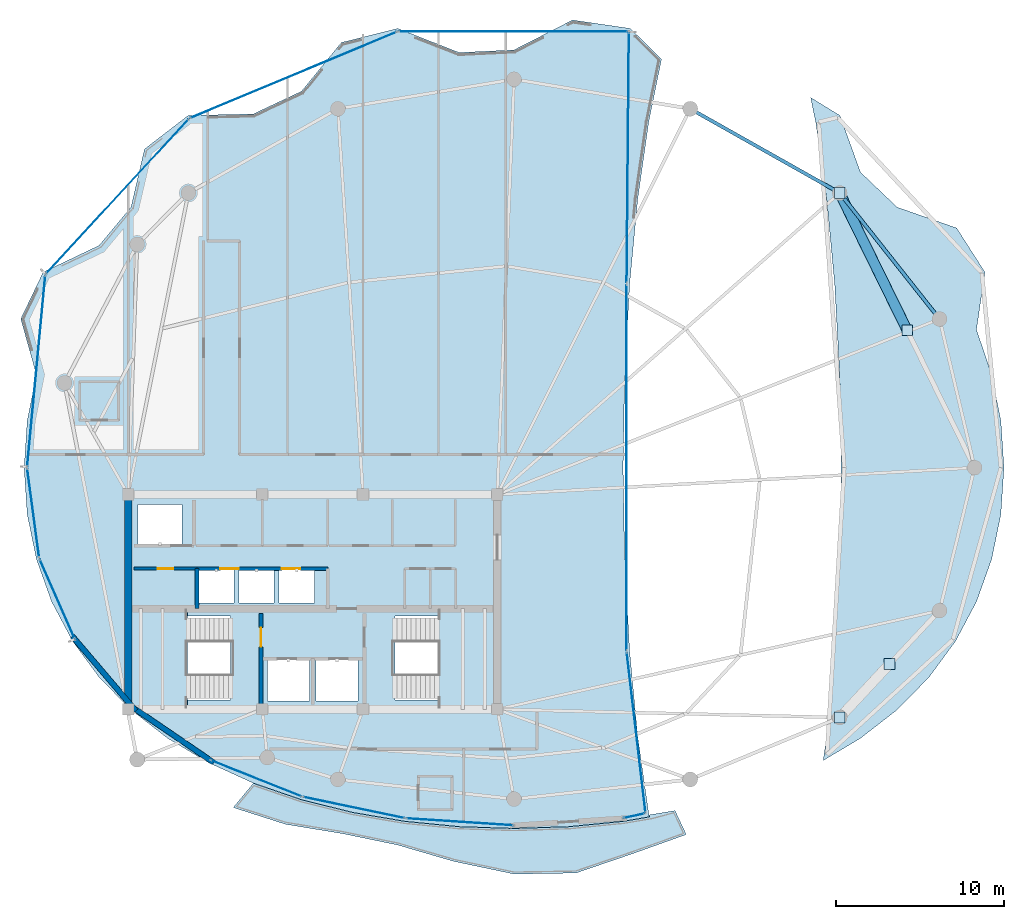
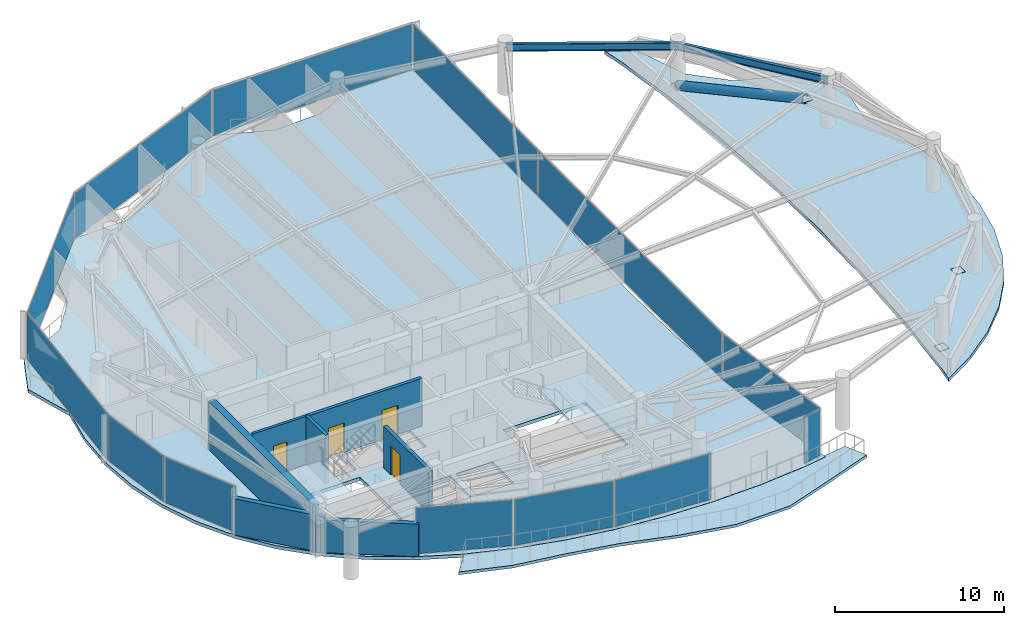
# One storey, part 17 of 22: 17 plates, 7 walls, 5 slabs, 4 doors, 2 beams, 1 member, 4 openings, 15 elements without a shape of their own.
"""IFC4 building model written with IfcOpenShell, lengths in metres."""

from ifc_helpers import new_model, si_unit, direction, frame, frame_2d, origin, origin_2d, place, context, subcontext, project, spatial, polyline, rectangle, hollow_circle, i_section, outline, extrude, material, layer, layer_set, material_profile, profile_set, type_object, element, fill, aggregate, save


model = new_model("IFC4")

# Units and contexts
model_context = context("Model", 3, precision=1e-05, world=origin(), true_north=direction((0.0, 1.0)))
body_context = subcontext(model_context, "Body", "Model", "MODEL_VIEW")
ifc_project = project(units=[si_unit("LENGTHUNIT", "METRE"), si_unit("AREAUNIT", "SQUARE_METRE"), si_unit("VOLUMEUNIT", "CUBIC_METRE"), si_unit("PLANEANGLEUNIT", "RADIAN"), si_unit("MASSUNIT", "GRAM", prefix="KILO")], contexts=[model_context])

# Site, building, storey
site_placement = place(None, origin())
site = spatial("IfcSite", under=ifc_project, at=site_placement, CompositionType="ELEMENT")
building_placement = place(site_placement, origin())
building = spatial("IfcBuilding", under=site, at=building_placement, Name="Kazevale Care Tower and Concert Hall", CompositionType="ELEMENT")
storey_placement = place(building_placement, frame((0.0, 0.0, 277.60009765625)))
storey = spatial("IfcBuildingStorey", under=building, at=storey_placement, Name="L73", CompositionType="ELEMENT", Elevation=277.60009765625)

# Member
ifc_material_1 = material(Name="Steel ASTM A572 Gr 50", Category="steel")
ifc_material_profile_1 = material_profile(ifc_material_1, hollow_circle(Radius=0.304931640625, WallThickness=0.0400390625, at=origin_2d()), Name="CHS610x40")
ifc_profile_set_1 = profile_set([ifc_material_profile_1], Name="Steel ASTM A572 Gr 50")
member_type = type_object("IfcMemberType", Name="Portal Arch Brace CHS610x40", PredefinedType="BRACE", material=ifc_profile_set_1)
member_placement = place(storey_placement, frame((64.409912109375, 54.3701171875, 0.349853515625), z_axis=(0.42437808649, -0.863549870396, 0.272368979596), x_axis=(0.897481043615, 0.441053031223, 0.0)))
element("IfcMember", 1, at=member_placement, inside=storey, type_object=member_type, Name="brace:L73:portal_knee:1", PredefinedType="BRACE", context=body_context, shape_type="SweptSolid", body=[
    extrude(hollow_circle(Radius=0.304931640625, WallThickness=0.0400390625, at=origin_2d()), origin(), (0.0, 0.0, 1.0), 9.47265625),
])

# Beams
ifc_material_profile_2 = material_profile(ifc_material_1, i_section(OverallWidth=0.208984375, OverallDepth=0.532958984375, WebThickness=0.01025390625, FlangeThickness=0.015625, at=origin_2d()), Name="W530x92")
ifc_profile_set_2 = profile_set([ifc_material_profile_2], Name="Steel ASTM A572 Gr 50")
beam_type = type_object("IfcBeamType", Name="Upper Ring Beam W530x92", PredefinedType="BEAM", material=ifc_profile_set_2)
beam_1_placement = place(storey_placement, frame((70.360107421875, 46.860107421875, 3.21337890625), z_axis=(-0.621008988522, 0.783803442308, 0.0), x_axis=(-0.783803442308, -0.621008988522, 0.0)))
element("IfcBeam", 2, at=beam_1_placement, inside=storey, type_object=beam_type, Name="beam:L73:ring:02", PredefinedType="BEAM", context=body_context, shape_type="SweptSolid", body=[
    extrude(i_section(OverallWidth=0.208984375, OverallDepth=0.532958984375, WebThickness=0.01025390625, FlangeThickness=0.015625, at=origin_2d()), origin(), (0.0, 0.0, 1.0), 9.58154296875),
])
beam_2_placement = place(storey_placement, frame((64.409912109375, 54.3701171875, 3.21337890625), z_axis=(-0.871243170179, 0.490851646035, 0.0), x_axis=(-0.490851646035, -0.871243170179, 0.0)))
element("IfcBeam", 3, at=beam_2_placement, inside=storey, type_object=beam_type, Name="beam:L73:ring:03", PredefinedType="BEAM", context=body_context, shape_type="SweptSolid", body=[
    extrude(i_section(OverallWidth=0.208984375, OverallDepth=0.532958984375, WebThickness=0.01025390625, FlangeThickness=0.015625, at=origin_2d()), origin(), (0.0, 0.0, 1.0), 10.2265625),
])

# Curtain wall, plate
ifc_material_2 = material(Name="Aluminium 6063-T6 and Low-E Glass", Category="aluminium")
ifc_layer_1 = layer(ifc_material_2, 0.179931640625)
ifc_layer_set_1 = layer_set([ifc_layer_1], Name="Aluminium 6063-T6 and Low-E Glass")
curtain_wall_type_1 = type_object("IfcCurtainWallType", Name="Waist & Upper Residential Curtain Wall CW-4", PredefinedType="NOTDEFINED", material=ifc_layer_set_1)
curtain_wall_1_placement = place(storey_placement, origin())
curtain_wall_1 = element("IfcCurtainWall", 4, at=curtain_wall_1_placement, inside=storey, type_object=curtain_wall_type_1, Name="cw:L73:f07", PredefinedType="NOTDEFINED")
ifc_material_3 = material(Name="Low-E Laminated Glass", Category="glass")
ifc_layer_2 = layer(ifc_material_3, 0.030029296875)
ifc_layer_set_2 = layer_set([ifc_layer_2], Name="Low-E Laminated Glass")
plate_type_1 = type_object("IfcPlateType", Name="CW-4 Low-E Glazing Panel 30mm", PredefinedType="CURTAIN_PANEL", material=ifc_layer_set_2)
plate_1_placement = place(storey_placement, frame((17.775390625, 30.175537109375, 0.080078125), z_axis=(0.0, 0.0, 1.0), x_axis=(-0.403598397488, 0.914936245618, 0.0)))
plate_1 = element("IfcPlate", 5, at=plate_1_placement, type_object=plate_type_1, Name="CW-4 panel 1.1", PredefinedType="CURTAIN_PANEL", context=body_context, shape_type="SweptSolid", body=[
    extrude(rectangle(XDim=5.139892578125, YDim=0.030029296875, at=origin_2d()), origin(), (0.0, 0.0, 1.0), 3.320068359375),
])
aggregate(curtain_wall_1, [plate_1])

curtain_wall_2_placement = place(storey_placement, origin())
curtain_wall_2 = element("IfcCurtainWall", 6, at=curtain_wall_2_placement, inside=storey, type_object=curtain_wall_type_1, Name="cw:L73:f08", PredefinedType="NOTDEFINED")
plate_2_placement = place(storey_placement, frame((16.343017578125, 35.300048828125, 0.080078125), z_axis=(0.0, 0.0, 1.0), x_axis=(-0.133245609751, 0.991083047722, 0.0)))
plate_2 = element("IfcPlate", 7, at=plate_2_placement, type_object=plate_type_1, Name="CW-4 panel 1.1", PredefinedType="CURTAIN_PANEL", context=body_context, shape_type="SweptSolid", body=[
    extrude(rectangle(XDim=5.28857421875, YDim=0.030029296875, at=origin_2d()), origin(), (0.0, 0.0, 1.0), 3.320068359375),
])
aggregate(curtain_wall_2, [plate_2])

curtain_wall_3_placement = place(storey_placement, origin())
curtain_wall_3 = element("IfcCurtainWall", 8, at=curtain_wall_3_placement, inside=storey, type_object=curtain_wall_type_1, Name="cw:L73:f09", PredefinedType="NOTDEFINED")
plate_3_placement = place(storey_placement, frame((16.52490234375, 43.757568359375, 0.080078125), z_axis=(0.0, 0.0, 1.0), x_axis=(0.094237879477, 0.995549708489, 0.0)))
plate_3 = element("IfcPlate", 9, at=plate_3_placement, type_object=plate_type_1, Name="CW-4 panel 1.1", PredefinedType="CURTAIN_PANEL", context=body_context, shape_type="SweptSolid", body=[
    extrude(rectangle(XDim=11.406494140625, YDim=0.030029296875, at=origin_2d()), origin(), (0.0, 0.0, 1.0), 3.320068359375),
])
aggregate(curtain_wall_3, [plate_3])

curtain_wall_4_placement = place(storey_placement, origin())
curtain_wall_4 = element("IfcCurtainWall", 10, at=curtain_wall_4_placement, inside=storey, type_object=curtain_wall_type_1, Name="cw:L73:f10", PredefinedType="NOTDEFINED")
plate_4_placement = place(storey_placement, frame((21.35546875, 54.16455078125, 0.080078125), z_axis=(0.0, 0.0, 1.0), x_axis=(0.677738025563, 0.735303453484, 0.0)))
plate_4 = element("IfcPlate", 11, at=plate_4_placement, type_object=plate_type_1, Name="CW-4 panel 1.1", PredefinedType="CURTAIN_PANEL", context=body_context, shape_type="SweptSolid", body=[
    extrude(rectangle(XDim=12.486572265625, YDim=0.030029296875, at=origin_2d()), origin(), (0.0, 0.0, 1.0), 3.320068359375),
])
aggregate(curtain_wall_4, [plate_4])

curtain_wall_5_placement = place(storey_placement, origin())
curtain_wall_5 = element("IfcCurtainWall", 12, at=curtain_wall_5_placement, inside=storey, type_object=curtain_wall_type_1, Name="cw:L73:f11", PredefinedType="NOTDEFINED")
plate_5_placement = place(storey_placement, frame((31.848388671875, 61.40087890625, 0.080078125), z_axis=(0.0, 0.0, 1.0), x_axis=(0.923048324588, 0.384684013802, 0.0)))
plate_5 = element("IfcPlate", 13, at=plate_5_placement, type_object=plate_type_1, Name="CW-4 panel 1.1", PredefinedType="CURTAIN_PANEL", context=body_context, shape_type="SweptSolid", body=[
    extrude(rectangle(XDim=13.2900390625, YDim=0.030029296875, at=origin_2d()), origin(), (0.0, 0.0, 1.0), 3.320068359375),
])
aggregate(curtain_wall_5, [plate_5])

curtain_wall_6_placement = place(storey_placement, origin())
curtain_wall_6 = element("IfcCurtainWall", 14, at=curtain_wall_6_placement, inside=storey, type_object=curtain_wall_type_1, Name="cw:L73:f12", PredefinedType="NOTDEFINED")
plate_6_placement = place(storey_placement, frame((44.951416015625, 63.99755859375, 0.080078125), z_axis=(0.0, 0.0, 1.0), x_axis=(0.999999050959, 0.001377708789, 0.0)))
plate_6 = element("IfcPlate", 15, at=plate_6_placement, type_object=plate_type_1, Name="CW-4 panel 1.1", PredefinedType="CURTAIN_PANEL", context=body_context, shape_type="SweptSolid", body=[
    extrude(rectangle(XDim=13.631103515625, YDim=0.030029296875, at=origin_2d()), origin(), (0.0, 0.0, 1.0), 3.320068359375),
])
aggregate(curtain_wall_6, [plate_6])

curtain_wall_7_placement = place(storey_placement, origin())
curtain_wall_7 = element("IfcCurtainWall", 16, at=curtain_wall_7_placement, inside=storey, type_object=curtain_wall_type_1, Name="cw:L73:f13", PredefinedType="NOTDEFINED")
plate_7_placement = place(storey_placement, frame((51.779541015625, 56.482421875, 0.080078125), z_axis=(0.0, 0.0, 1.0), x_axis=(-0.008970334801, -0.999959765737, 0.0)))
plate_7 = element("IfcPlate", 17, at=plate_7_placement, type_object=plate_type_1, Name="CW-4 panel 1.1", PredefinedType="CURTAIN_PANEL", context=body_context, shape_type="SweptSolid", body=[
    extrude(rectangle(XDim=14.8896484375, YDim=0.030029296875, at=origin_2d()), origin(), (0.0, 0.0, 1.0), 3.320068359375),
])
aggregate(curtain_wall_7, [plate_7])

curtain_wall_8_placement = place(storey_placement, origin())
curtain_wall_8 = element("IfcCurtainWall", 18, at=curtain_wall_8_placement, inside=storey, type_object=curtain_wall_type_1, Name="cw:L73:f14", PredefinedType="NOTDEFINED")
plate_8_placement = place(storey_placement, frame((51.7119140625, 38.0, 0.080078125), z_axis=(0.0, 0.0, 1.0), x_axis=(0.0, -1.0, 0.0)))
plate_8 = element("IfcPlate", 19, at=plate_8_placement, type_object=plate_type_1, Name="CW-4 panel 1.1", PredefinedType="CURTAIN_PANEL", context=body_context, shape_type="SweptSolid", body=[
    extrude(rectangle(XDim=21.756103515625, YDim=0.030029296875, at=origin_2d()), origin(), (0.0, 0.0, 1.0), 3.320068359375),
])
aggregate(curtain_wall_8, [plate_8])

ifc_layer_3 = layer(ifc_material_2, 0.179931640625)
ifc_layer_set_3 = layer_set([ifc_layer_3], Name="Aluminium 6063-T6 and Low-E Glass")
curtain_wall_type_2 = type_object("IfcCurtainWallType", Name="Sheltered Concave Balcony Curtain Wall CW-5", PredefinedType="NOTDEFINED", material=ifc_layer_set_3)
curtain_wall_9_placement = place(storey_placement, origin())
curtain_wall_9 = element("IfcCurtainWall", 20, at=curtain_wall_9_placement, inside=storey, type_object=curtain_wall_type_2, Name="cw:L73:f02", PredefinedType="NOTDEFINED")
ifc_layer_4 = layer(ifc_material_3, 0.02587890625)
ifc_layer_set_4 = layer_set([ifc_layer_4], Name="Low-E Laminated Glass")
plate_type_2 = type_object("IfcPlateType", Name="CW-5 Low-E Glazing Panel 26mm", PredefinedType="CURTAIN_PANEL", material=ifc_layer_set_4)
plate_9_placement = place(storey_placement, frame((41.762939453125, 16.89111328125, 0.074951171875), z_axis=(0.0, 0.0, 1.0), x_axis=(-0.997882281458, 0.065045771206, 0.0)))
plate_9 = element("IfcPlate", 21, at=plate_9_placement, type_object=plate_type_2, Name="CW-5 panel 1.1", PredefinedType="CURTAIN_PANEL", context=body_context, shape_type="SweptSolid", body=[
    extrude(rectangle(XDim=6.337646484375, YDim=0.02587890625, at=origin_2d()), origin(), (0.0, 0.0, 1.0), 3.330078125),
])
aggregate(curtain_wall_9, [plate_9])

curtain_wall_10_placement = place(storey_placement, origin())
curtain_wall_10 = element("IfcCurtainWall", 22, at=curtain_wall_10_placement, inside=storey, type_object=curtain_wall_type_2, Name="cw:L73:f03", PredefinedType="NOTDEFINED")
plate_10_placement = place(storey_placement, frame((35.4541015625, 17.743896484375, 0.074951171875), z_axis=(0.0, 0.0, 1.0), x_axis=(-0.978852986472, 0.204564979592, 0.0)))
plate_10 = element("IfcPlate", 23, at=plate_10_placement, type_object=plate_type_2, Name="CW-5 panel 1.1", PredefinedType="CURTAIN_PANEL", context=body_context, shape_type="SweptSolid", body=[
    extrude(rectangle(XDim=6.126708984375, YDim=0.02587890625, at=origin_2d()), origin(), (0.0, 0.0, 1.0), 3.330078125),
])
aggregate(curtain_wall_10, [plate_10])

curtain_wall_11_placement = place(storey_placement, origin())
curtain_wall_11 = element("IfcCurtainWall", 24, at=curtain_wall_11_placement, inside=storey, type_object=curtain_wall_type_2, Name="cw:L73:f04", PredefinedType="NOTDEFINED")
plate_11_placement = place(storey_placement, frame((29.6298828125, 19.48046875, 0.074951171875), z_axis=(0.0, 0.0, 1.0), x_axis=(-0.929208392028, 0.369556171894, 0.0)))
plate_11 = element("IfcPlate", 25, at=plate_11_placement, type_object=plate_type_2, Name="CW-5 panel 1.1", PredefinedType="CURTAIN_PANEL", context=body_context, shape_type="SweptSolid", body=[
    extrude(rectangle(XDim=5.7734375, YDim=0.02587890625, at=origin_2d()), origin(), (0.0, 0.0, 1.0), 3.330078125),
])
aggregate(curtain_wall_11, [plate_11])

curtain_wall_12_placement = place(storey_placement, origin())
curtain_wall_12 = element("IfcCurtainWall", 26, at=curtain_wall_12_placement, inside=storey, type_object=curtain_wall_type_2, Name="cw:L73:f15", PredefinedType="NOTDEFINED")
plate_12_placement = place(storey_placement, frame((52.277587890625, 22.220947265625, 0.074951171875), z_axis=(0.0, 0.0, 1.0), x_axis=(0.116500580295, -0.993190623592, 0.0)))
plate_12 = element("IfcPlate", 27, at=plate_12_placement, type_object=plate_type_2, Name="CW-5 panel 1.1", PredefinedType="CURTAIN_PANEL", context=body_context, shape_type="SweptSolid", body=[
    extrude(rectangle(XDim=9.55810546875, YDim=0.02587890625, at=origin_2d()), origin(), (0.0, 0.0, 1.0), 3.330078125),
])
aggregate(curtain_wall_12, [plate_12])

curtain_wall_13_placement = place(storey_placement, origin())
curtain_wall_13 = element("IfcCurtainWall", 28, at=curtain_wall_13_placement, inside=storey, type_object=curtain_wall_type_2, Name="cw:L73:f16", PredefinedType="NOTDEFINED")
plate_13_placement = place(storey_placement, frame((52.158447265625, 17.2509765625, 0.074951171875), z_axis=(0.0, 0.0, 1.0), x_axis=(-0.977118351767, -0.212696324933, 0.0)))
plate_13 = element("IfcPlate", 29, at=plate_13_placement, type_object=plate_type_2, Name="CW-5 panel 1.1", PredefinedType="CURTAIN_PANEL", context=body_context, shape_type="SweptSolid", body=[
    extrude(rectangle(XDim=1.2509765625, YDim=0.02587890625, at=origin_2d()), origin(), (0.0, 0.0, 1.0), 3.330078125),
])
aggregate(curtain_wall_13, [plate_13])

# Plates
ifc_layer_5 = layer(ifc_material_1, 0.02490234375)
ifc_layer_set_5 = layer_set([ifc_layer_5], Name="Steel ASTM A572 Gr 50")
plate_type_3 = type_object("IfcPlateType", Name="Hollow Section End Cap Plate 25mm", PredefinedType="USERDEFINED", material=ifc_layer_set_5)
for number, where, z_axis, x_axis, name in (
    (30, (64.409912109375, 54.3701171875, 0.33740234375), (0.0, 0.0, 1.0), (1.0, 0.0, 0.0), "brace:L73:portal_knee:1:cap0"),
    (31, (68.429931640625, 46.18994140625, 2.91748046875), (0.0, 0.0, 1.0), (1.0, 0.0, 0.0), "brace:L73:portal_knee:1:cap1"),
    (32, (64.409912109375, 23.110107421875, 0.33740234375), (0.0, 0.0, 1.0), (1.0, 0.0, 0.0), "brace:L73:portal_knee:2:cap0"),
    (33, (67.3798828125, 26.300048828125, 2.91748046875), (0.0, 0.0, 1.0), (1.0, 0.0, 0.0), "brace:L73:portal_knee:2:cap1"),
):
    element("IfcPlate", number, at=place(storey_placement, frame(where, z_axis=z_axis, x_axis=x_axis)), inside=storey, type_object=plate_type_3, Name=name, ObjectType="END_CAP_PLATE", PredefinedType="USERDEFINED", context=body_context, shape_type="SweptSolid", body=[
        extrude(rectangle(XDim=0.639892578125, YDim=0.639892578125, at=origin_2d()), origin(), (0.0, 0.0, 1.0), 0.02490234375),
    ])

# Slab
ifc_material_4 = material(Name="Concrete C40", Category="concrete")
ifc_layer_6 = layer(ifc_material_4, 0.199951171875)
ifc_layer_set_6 = layer_set([ifc_layer_6], Name="Concrete C40")
slab_type_1 = type_object("IfcSlabType", Name="Sinusoidal Concave Balcony Slab 200", PredefinedType="USERDEFINED", material=ifc_layer_set_6)
slab_1_placement = place(storey_placement, frame((0.0, 0.0, -0.2001953125)))
element("IfcSlab", 34, at=slab_1_placement, inside=storey, type_object=slab_type_1, Name="slab:L73:bal", ObjectType="BALCONY", PredefinedType="USERDEFINED", context=body_context, shape_type="SweptSolid", body=[
    extrude(outline(polyline([(54.593017578125, 17.56591796875), (55.264892578125, 16.134765625), (52.090087890625, 15.0009765625), (48.69189453125, 13.841552734375), (45.0, 13.77978515625), (41.413818359375, 14.533203125), (38.066650390625, 15.510009765625), (34.76171875, 16.19189453125), (31.389892578125, 16.743896484375), (28.263427734375, 17.743408203125), (29.46142578125, 19.193115234375), (29.462890625, 19.192626953125), (32.3291015625, 18.208251953125), (35.35498046875, 17.452392578125), (38.501708984375, 16.918212890625), (41.730224609375, 16.6005859375), (45.0, 16.4951171875), (48.269775390625, 16.6005859375), (51.498291015625, 16.918212890625), (53.075439453125, 17.185791015625), (53.05126953125, 17.305908203125), (54.593017578125, 17.56591796875)])), origin(), (0.0, 0.0, 1.0), 0.2001953125),
])

# Stair, slab
stair_type = type_object("IfcStairType", Name="Exit Stair Assembly ST1-U", PredefinedType="HALF_TURN_STAIR", material=ifc_material_4)
stair_1_placement = place(storey_placement, origin())
stair_1 = element("IfcStair", 35, at=stair_1_placement, inside=storey, type_object=stair_type, Name="stair:L73:ST1", PredefinedType="HALF_TURN_STAIR")
ifc_layer_7 = layer(ifc_material_4, 0.199951171875)
ifc_layer_set_7 = layer_set([ifc_layer_7], Name="Concrete C40")
slab_type_2 = type_object("IfcSlabType", Name="Stair Half-Landing Slab ST1-U", PredefinedType="LANDING", material=ifc_layer_set_7)
slab_2_placement = place(storey_placement, frame((0.0, 0.0, 1.699951171875)))
slab_2 = element("IfcSlab", 36, at=slab_2_placement, type_object=slab_type_2, Name="ST1-U landing 1", PredefinedType="LANDING", context=body_context, shape_type="SweptSolid", body=[
    extrude(outline(polyline([(22.050048828125, 23.699951171875), (25.530029296875, 23.699951171875), (25.530029296875, 29.5), (22.050048828125, 29.5), (22.050048828125, 23.699951171875)])), origin(), (0.0, 0.0, 1.0), 0.199951171875),
])
aggregate(stair_1, [slab_2])

stair_2_placement = place(storey_placement, origin())
stair_2 = element("IfcStair", 37, at=stair_2_placement, inside=storey, type_object=stair_type, Name="stair:L73:ST2", PredefinedType="HALF_TURN_STAIR")
slab_3_placement = place(storey_placement, frame((0.0, 0.0, 1.699951171875)))
slab_3 = element("IfcSlab", 38, at=slab_3_placement, type_object=slab_type_2, Name="ST1-U landing 1", PredefinedType="LANDING", context=body_context, shape_type="SweptSolid", body=[
    extrude(outline(polyline([(40.469970703125, 23.699951171875), (43.949951171875, 23.699951171875), (43.949951171875, 29.5), (40.469970703125, 29.5), (40.469970703125, 23.699951171875)])), origin(), (0.0, 0.0, 1.0), 0.199951171875),
])
aggregate(stair_2, [slab_3])

# Slabs
ifc_layer_8 = layer(ifc_material_4, 0.239990234375)
ifc_layer_set_8 = layer_set([ifc_layer_8], Name="Concrete C40")
slab_type_3 = type_object("IfcSlabType", Name="Tower Typical Floor Slab 240", PredefinedType="FLOOR", material=ifc_layer_set_8)
slab_4_placement = place(storey_placement, frame((0.0, 0.0, -0.239990234375)))
element("IfcSlab", 39, at=slab_4_placement, inside=storey, type_object=slab_type_3, Name="slab:L73:tw:1", PredefinedType="FLOOR", context=body_context, shape_type="SweptSolid", body=[
    extrude(outline(polyline([(51.49755859375, 16.92333984375), (48.269287109375, 16.60546875), (45.0, 16.5), (41.730712890625, 16.60546875), (38.50244140625, 16.92333984375), (35.35595703125, 17.457275390625), (32.33056640625, 18.212890625), (29.464599609375, 19.197265625), (26.794189453125, 20.415771484375), (24.3525390625, 21.873046875), (22.17041015625, 23.569091796875), (20.275634765625, 25.5), (18.691650390625, 27.654541015625), (17.438720703125, 30.01416015625), (16.531982421875, 32.551513671875), (15.983642578125, 35.229736328125), (15.800048828125, 38.0), (15.983642578125, 40.787841796875), (16.531982421875, 43.540771484375), (15.597900390625, 46.867919921875), (16.934814453125, 49.64990234375), (20.275634765625, 51.24755859375), (22.17041015625, 53.52490234375), (22.9736328125, 56.98583984375), (25.578369140625, 58.9921875), (29.464599609375, 59.08349609375), (32.33056640625, 60.43408203125), (34.7119140625, 63.34326171875), (38.068603515625, 64.1767578125), (41.730712890625, 62.743408203125), (45.0, 62.89990234375), (48.48779296875, 64.68115234375), (51.931396484375, 64.1767578125), (53.7880859375, 62.3466796875), (53.020751953125, 58.569091796875), (52.370849609375, 54.0), (51.89208984375, 48.944580078125), (51.5986328125, 43.556640625), (51.5, 38.0), (51.5986328125, 32.443359375), (51.89208984375, 27.055419921875), (52.370849609375, 22.0), (53.020751953125, 17.430908203125), (53.069580078125, 17.18994140625), (51.49755859375, 16.92333984375)]), holes=[polyline([(22.449951171875, 24.14990234375), (28.110107421875, 24.14990234375), (28.110107421875, 29.14990234375), (22.449951171875, 29.14990234375), (22.449951171875, 24.14990234375)]), polyline([(37.889892578125, 24.14990234375), (43.550048828125, 24.14990234375), (43.550048828125, 29.14990234375), (37.889892578125, 29.14990234375), (37.889892578125, 24.14990234375)]), polyline([(30.300048828125, 24.10009765625), (32.800048828125, 24.10009765625), (32.800048828125, 26.60009765625), (30.300048828125, 26.60009765625), (30.300048828125, 24.10009765625)]), polyline([(33.199951171875, 24.10009765625), (35.699951171875, 24.10009765625), (35.699951171875, 26.60009765625), (33.199951171875, 26.60009765625), (33.199951171875, 24.10009765625)]), polyline([(22.60009765625, 33.39990234375), (25.199951171875, 33.39990234375), (25.199951171875, 35.800048828125), (22.60009765625, 35.800048828125), (22.60009765625, 33.39990234375)]), polyline([(26.199951171875, 29.949951171875), (28.300048828125, 29.949951171875), (28.300048828125, 31.949951171875), (26.199951171875, 31.949951171875), (26.199951171875, 29.949951171875)]), polyline([(28.60009765625, 29.949951171875), (30.699951171875, 29.949951171875), (30.699951171875, 31.949951171875), (28.60009765625, 31.949951171875), (28.60009765625, 29.949951171875)]), polyline([(31.0, 29.949951171875), (33.10009765625, 29.949951171875), (33.10009765625, 31.949951171875), (31.0, 31.949951171875), (31.0, 29.949951171875)])]), origin(), (0.0, 0.0, 1.0), 0.239990234375),
])
slab_5_placement = place(storey_placement, frame((0.0, 0.0, -0.239990234375)))
element("IfcSlab", 40, at=slab_5_placement, inside=storey, type_object=slab_type_3, Name="slab:L73:tw:2", PredefinedType="FLOOR", context=body_context, shape_type="SweptSolid", body=[
    extrude(outline(polyline([(64.421630859375, 58.9921875), (65.6474609375, 55.60693359375), (67.82958984375, 53.52490234375), (71.37548828125, 52.28515625), (73.065185546875, 49.64990234375), (72.561279296875, 46.223876953125), (73.468017578125, 43.540771484375), (74.016357421875, 40.787841796875), (74.199951171875, 38.0), (74.016357421875, 35.229736328125), (73.468017578125, 32.551513671875), (72.561279296875, 30.01416015625), (71.308349609375, 27.654541015625), (69.724365234375, 25.5), (67.82958984375, 23.569091796875), (65.6474609375, 21.873046875), (63.422119140625, 20.544921875), (63.629150390625, 22.0), (64.10791015625, 27.055419921875), (64.4013671875, 32.443359375), (64.5, 38.0), (64.4013671875, 43.556640625), (64.10791015625, 48.944580078125), (63.629150390625, 54.0), (62.979248046875, 58.569091796875), (62.676513671875, 60.0595703125), (64.421630859375, 58.9921875)])), origin(), (0.0, 0.0, 1.0), 0.239990234375),
])

# Walls
ifc_material_5 = material(Name="Concrete C50", Category="concrete")
ifc_layer_9 = layer(ifc_material_5, 0.449951171875)
ifc_layer_set_9 = layer_set([ifc_layer_9], Name="Concrete C50")
wall_type_1 = type_object("IfcWallType", Name="Core Shear Wall 450 C50", PredefinedType="SHEAR", material=ifc_layer_set_9)
wall_1_placement = place(storey_placement, frame((22.0, 23.824951171875, 0.0), z_axis=(0.0, 0.0, 1.0), x_axis=(0.0, 1.0, 0.0)))
element("IfcWall", 41, at=wall_1_placement, inside=storey, type_object=wall_type_1, Name="wall:L73:core:W", PredefinedType="SHEAR", context=body_context, shape_type="SweptSolid", body=[
    extrude(rectangle(XDim=12.35009765625, YDim=0.449951171875, at=frame_2d((6.175048828125, 0.0))), origin(), (0.0, 0.0, 1.0), 3.47998046875),
])
ifc_layer_10 = layer(ifc_material_4, 0.219970703125)
ifc_layer_set_10 = layer_set([ifc_layer_10], Name="Concrete C40")
wall_type_2 = type_object("IfcWallType", Name="Elevator Hoistway Shaft Wall 220", PredefinedType="SOLIDWALL", material=ifc_layer_set_10)
wall_2_placement = place(storey_placement, frame((26.10009765625, 29.6201171875, 0.0), z_axis=(0.0, 0.0, 1.0), x_axis=(0.0, 1.0, 0.0)))
element("IfcWall", 42, at=wall_2_placement, inside=storey, type_object=wall_type_2, Name="wall:L73:c_ph_w", PredefinedType="SOLIDWALL", context=body_context, shape_type="SweptSolid", body=[
    extrude(rectangle(XDim=2.35986328125, YDim=0.219970703125, at=frame_2d((1.179931640625, 0.0))), origin(), (0.0, 0.0, 1.0), 3.47998046875),
])

# Wall, openings, doors
wall_3_placement = place(storey_placement, frame((26.10009765625, 31.97998046875, 0.0), z_axis=(0.0, 0.0, 1.0), x_axis=(1.0, 0.0, 0.0)))
wall_3 = element("IfcWall", 43, at=wall_3_placement, inside=storey, type_object=wall_type_2, Name="wall:L73:c_ph_n", PredefinedType="SOLIDWALL", context=body_context, shape_type="SweptSolid", body=[
    extrude(rectangle(XDim=7.7998046875, YDim=0.219970703125, at=frame_2d((3.89990234375, 0.0))), origin(), (0.0, 0.0, 1.0), 3.47998046875),
])
opening_1_placement = place(wall_3_placement, frame((1.39990234375, 0.0, 0.0)))
opening_1 = element("IfcOpeningElement", 44, at=opening_1_placement, cuts=wall_3, Name="Opening LD-PAX", PredefinedType="OPENING", context=body_context, shape_type="SweptSolid", body=[
    extrude(rectangle(XDim=1.10009765625, YDim=2.10009765625, at=frame_2d((0.550048828125, 1.050048828125))), frame((0.0, 0.119873046875, 0.0), z_axis=(0.0, -1.0, 0.0), x_axis=(1.0, 0.0, 0.0)), (0.0, 0.0, 1.0), 0.239990234375),
])
opening_2_placement = place(wall_3_placement, frame((5.06591796875, 0.0, 0.0)))
opening_2 = element("IfcOpeningElement", 45, at=opening_2_placement, cuts=wall_3, Name="Opening LD-PAX", PredefinedType="OPENING", context=body_context, shape_type="SweptSolid", body=[
    extrude(rectangle(XDim=1.10009765625, YDim=2.10009765625, at=frame_2d((0.550048828125, 1.050048828125))), frame((0.0, 0.119873046875, 0.0), z_axis=(0.0, -1.0, 0.0), x_axis=(1.0, 0.0, 0.0)), (0.0, 0.0, 1.0), 0.239990234375),
])
ifc_material_6 = material(Name="Stainless Steel 316", Category="steel")
door_type_1 = type_object("IfcDoorType", Name="Passenger Lift Sliding Landing Door 1100x2100", OperationType="NOTDEFINED", PredefinedType="DOOR", material=ifc_material_6)
door_1_placement = place(opening_1_placement, origin())
door_1 = element("IfcDoor", 46, at=door_1_placement, inside=storey, type_object=door_type_1, Name="door:L73:ld_ph1", OperationType="SLIDING_TO_LEFT", OverallHeight=2.10009765625, OverallWidth=1.10009765625, PredefinedType="DOOR", context=body_context, shape_type="SweptSolid", body=[
    extrude(rectangle(XDim=1.10009765625, YDim=2.10009765625, at=frame_2d((0.550048828125, 1.050048828125))), frame((0.0, 0.02490234375, 0.0), z_axis=(0.0, -1.0, 0.0), x_axis=(1.0, 0.0, 0.0)), (0.0, 0.0, 1.0), 0.050048828125),
])
fill(opening_1, door_1)
door_2_placement = place(opening_2_placement, origin())
door_2 = element("IfcDoor", 47, at=door_2_placement, inside=storey, type_object=door_type_1, Name="door:L73:ld_ph2", OperationType="SLIDING_TO_RIGHT", OverallHeight=2.10009765625, OverallWidth=1.10009765625, PredefinedType="DOOR", context=body_context, shape_type="SweptSolid", body=[
    extrude(rectangle(XDim=1.10009765625, YDim=2.10009765625, at=frame_2d((0.550048828125, 1.050048828125))), frame((0.0, 0.02490234375, 0.0), z_axis=(0.0, -1.0, 0.0), x_axis=(1.0, 0.0, 0.0)), (0.0, 0.0, 1.0), 0.050048828125),
])
fill(opening_2, door_2)

# Wall, opening, door
ifc_material_7 = material(Name="Concrete C40 and Acoustic Gypsum", Category="concrete")
ifc_layer_11 = layer(ifc_material_7, 0.179931640625)
ifc_layer_set_11 = layer_set([ifc_layer_11], Name="Concrete C40 and Acoustic Gypsum")
wall_type_3 = type_object("IfcWallType", Name="Fire-Rated Corridor & Party Wall 180", PredefinedType="PARTITIONING", material=ifc_layer_set_11)
wall_4_placement = place(storey_placement, frame((22.35009765625, 31.97998046875, 0.0), z_axis=(0.0, 0.0, 1.0), x_axis=(1.0, 0.0, 0.0)))
wall_4 = element("IfcWall", 48, at=wall_4_placement, inside=storey, type_object=wall_type_3, Name="wall:L73:ka_wn1", PredefinedType="PARTITIONING", context=body_context, shape_type="SweptSolid", body=[
    extrude(rectangle(XDim=3.75, YDim=0.179931640625, at=frame_2d((1.875, 0.0))), origin(), (0.0, 0.0, 1.0), 3.47998046875),
])
opening_3_placement = place(wall_4_placement, frame((1.425048828125, 0.0, 0.0)))
opening_3 = element("IfcOpeningElement", 49, at=opening_3_placement, cuts=wall_4, Name="Opening ID-900", PredefinedType="OPENING", context=body_context, shape_type="SweptSolid", body=[
    extrude(rectangle(XDim=0.919921875, YDim=2.10009765625, at=frame_2d((0.4599609375, 1.050048828125))), frame((0.0, 0.099853515625, 0.0), z_axis=(0.0, -1.0, 0.0), x_axis=(1.0, 0.0, 0.0)), (0.0, 0.0, 1.0), 0.199951171875),
])
ifc_material_8 = material(Name="Oak Timber Fire Leaf", Category="wood")
door_type_2 = type_object("IfcDoorType", Name="Bathroom & Service Door 920x2100", OperationType="NOTDEFINED", PredefinedType="DOOR", material=ifc_material_8)
door_3_placement = place(opening_3_placement, origin())
door_3 = element("IfcDoor", 50, at=door_3_placement, inside=storey, type_object=door_type_2, Name="door:L73:d_kaw", OperationType="SINGLE_SWING_LEFT", OverallHeight=2.10009765625, OverallWidth=0.919921875, PredefinedType="DOOR", context=body_context, shape_type="SweptSolid", body=[
    extrude(rectangle(XDim=0.919921875, YDim=2.10009765625, at=frame_2d((0.4599609375, 1.050048828125))), frame((0.0, 0.02490234375, 0.0), z_axis=(0.0, -1.0, 0.0), x_axis=(1.0, 0.0, 0.0)), (0.0, 0.0, 1.0), 0.050048828125),
])
fill(opening_3, door_3)

ifc_layer_12 = layer(ifc_material_4, 0.25)
ifc_layer_set_12 = layer_set([ifc_layer_12], Name="Concrete C40")
wall_type_4 = type_object("IfcWallType", Name="Pressurized Stair Shaft Wall 250", PredefinedType="SOLIDWALL", material=ifc_layer_set_12)
wall_5_placement = place(storey_placement, frame((29.919921875, 23.89990234375, 0.0), z_axis=(0.0, 0.0, 1.0), x_axis=(0.0, 1.0, 0.0)))
wall_5 = element("IfcWall", 51, at=wall_5_placement, inside=storey, type_object=wall_type_4, Name="wall:L73:c_st1_e", PredefinedType="SOLIDWALL", context=body_context, shape_type="SweptSolid", body=[
    extrude(rectangle(XDim=5.400146484375, YDim=0.25, at=frame_2d((2.7001953125, 0.0))), origin(), (0.0, 0.0, 1.0), 3.010009765625),
])
opening_4_placement = place(wall_5_placement, frame((3.4208984375, 0.0, 0.0)))
opening_4 = element("IfcOpeningElement", 52, at=opening_4_placement, cuts=wall_5, Name="Opening FD-90", PredefinedType="OPENING", context=body_context, shape_type="SweptSolid", body=[
    extrude(rectangle(XDim=1.14990234375, YDim=2.10009765625, at=frame_2d((0.574951171875, 1.050048828125))), frame((0.0, 0.135009765625, 0.0), z_axis=(0.0, -1.0, 0.0), x_axis=(1.0, 0.0, 0.0)), (0.0, 0.0, 1.0), 0.27001953125),
])
door_type_3 = type_object("IfcDoorType", Name="Pressurized Stair & Lobby Fire Door 1150x2100", OperationType="NOTDEFINED", PredefinedType="DOOR", material=ifc_material_1)
door_4_placement = place(opening_4_placement, origin())
door_4 = element("IfcDoor", 53, at=door_4_placement, inside=storey, type_object=door_type_3, Name="door:L73:st1", OperationType="SINGLE_SWING_RIGHT", OverallHeight=2.10009765625, OverallWidth=1.14990234375, PredefinedType="DOOR", context=body_context, shape_type="SweptSolid", body=[
    extrude(rectangle(XDim=1.14990234375, YDim=2.10009765625, at=frame_2d((0.574951171875, 1.050048828125))), frame((0.0, 0.02490234375, 0.0), z_axis=(0.0, -1.0, 0.0), x_axis=(1.0, 0.0, 0.0)), (0.0, 0.0, 1.0), 0.050048828125),
])
fill(opening_4, door_4)

# Walls
ifc_material_9 = material(Name="Concrete C40 with Honed Limestone Cladding", Category="masonry")
ifc_layer_13 = layer(ifc_material_9, 0.320068359375)
ifc_layer_set_13 = layer_set([ifc_layer_13], Name="Concrete C40 with Honed Limestone Cladding")
wall_type_5 = type_object("IfcWallType", Name="Tower Honed Limestone Spandrel Wall 320", PredefinedType="STANDARD", material=ifc_layer_set_13)
wall_6_placement = place(storey_placement, frame((27.093017578125, 20.427978515625, 0.0), z_axis=(0.0, 0.0, 1.0), x_axis=(-0.826047009588, 0.563601222454, 0.0)))
element("IfcWall", 54, at=wall_6_placement, inside=storey, type_object=wall_type_5, Name="wall:cw:L73:f05", PredefinedType="STANDARD", context=body_context, shape_type="SweptSolid", body=[
    extrude(rectangle(XDim=6.07373046875, YDim=0.320068359375, at=frame_2d((3.036865234375, 0.0))), origin(), (0.0, 0.0, 1.0), 2.349853515625),
])
wall_7_placement = place(storey_placement, frame((22.4599609375, 23.506103515625, 0.0), z_axis=(0.0, 0.0, 1.0), x_axis=(-0.648393724369, 0.761305180725, 0.0)))
element("IfcWall", 55, at=wall_7_placement, inside=storey, type_object=wall_type_5, Name="wall:cw:L73:f06", PredefinedType="STANDARD", context=body_context, shape_type="SweptSolid", body=[
    extrude(rectangle(XDim=5.8359375, YDim=0.320068359375, at=frame_2d((2.91796875, 0.0))), origin(), (0.0, 0.0, 1.0), 2.619873046875),
])

save(model, "model.ifc")
